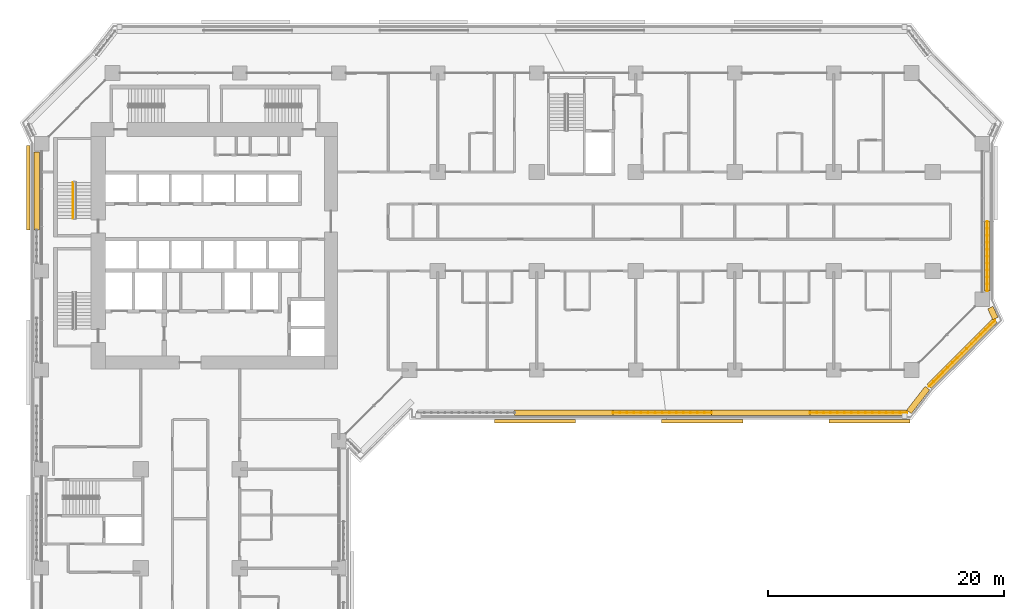
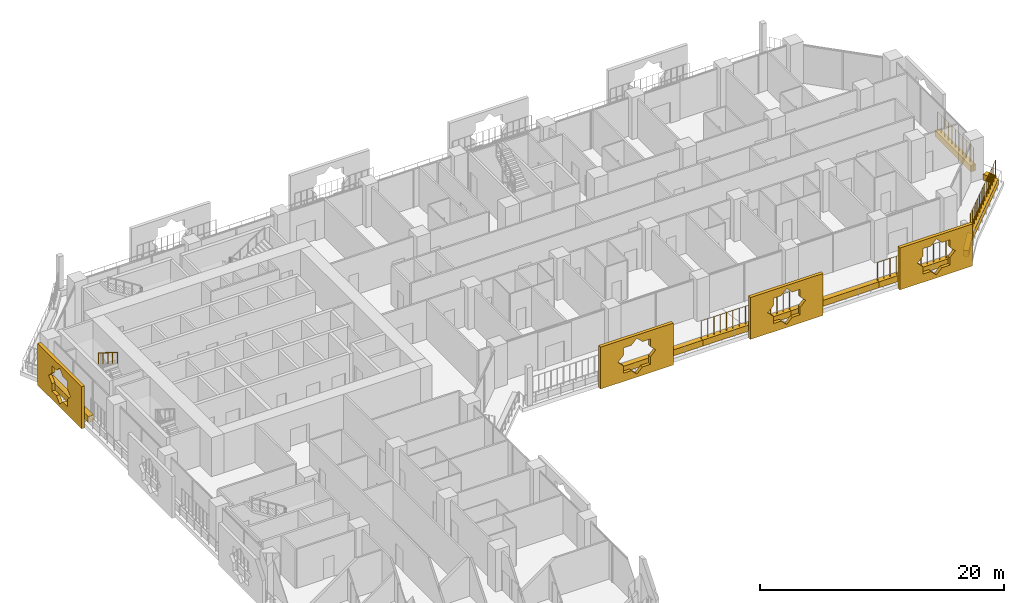
# One storey, part 26 of 29: 13 coverings, 5 railings.
"""IFC4 building model written with IfcOpenShell, lengths in metres."""

import ifcopenshell
import ifcopenshell.guid

model = None  # the IFC model being written
_history = None  # IfcOwnerHistory: only IFC2X3 demands one
_inside = {}  # id of a spatial element -> (the spatial element, [elements in it])
_under = {}  # id of a project, library or spatial element -> (it, [spatial elements below it])
_declared = {}  # id of a project -> (the project, [libraries it declares])
_typed = {}  # id of a type object -> (the type object, [elements of that type])
_made_of = {}  # id of a material, layer set ... -> (it, [elements and type objects made of it])


def new_model(schema):
    """Start an empty IFC model of exactly this schema.

    Asked for "IFC4X3", IfcOpenShell would pick the latest addendum, in which some entities
    have other attributes; the version numbers below select the first issue.
    IFC2X3 requires an IfcOwnerHistory on every rooted entity: one is made here for all.
    """
    global model, _history
    if schema == "IFC4X3":
        model = ifcopenshell.file(schema_version=(4, 3, 0, 0))
    else:
        model = ifcopenshell.file(schema=schema)
    _inside.clear()
    _under.clear()
    _declared.clear()
    _typed.clear()
    _made_of.clear()
    _history = None
    if model.schema == "IFC2X3":
        org = make("IfcOrganization", Name="unknown")
        user = make(
            "IfcPersonAndOrganization",
            ThePerson=make("IfcPerson", FamilyName="unknown"),
            TheOrganization=org,
        )
        app = make(
            "IfcApplication",
            ApplicationDeveloper=org,
            Version="unknown",
            ApplicationFullName="unknown",
            ApplicationIdentifier="unknown",
        )
        _history = make(
            "IfcOwnerHistory",
            OwningUser=user,
            OwningApplication=app,
            ChangeAction="ADDED",
            CreationDate=0,
        )
    return model


def make(cls, **values):
    """One entity of the class cls with the attributes given. An attribute that is None is left unset."""
    return model.create_entity(
        cls, **{name: value for name, value in values.items() if value is not None}
    )


def rooted(cls, **values):
    """An entity with a GlobalId (a new one), such as an element, a storey or a relation."""
    return make(cls, GlobalId=ifcopenshell.guid.new(), OwnerHistory=_history, **values)


def si_unit(unit_type, name, prefix=None):
    """IfcSIUnit, for example si_unit("LENGTHUNIT", "METRE", prefix="MILLI")."""
    return make("IfcSIUnit", UnitType=unit_type, Prefix=prefix, Name=name)


def assignment(units):
    """IfcUnitAssignment: the units of a project."""
    return None if units is None else make("IfcUnitAssignment", Units=units)


def point(xyz):
    """IfcCartesianPoint."""
    return None if xyz is None else make("IfcCartesianPoint", Coordinates=xyz)


def direction(xyz):
    """IfcDirection."""
    return None if xyz is None else make("IfcDirection", DirectionRatios=xyz)


def frame(location, z_axis=None, x_axis=None):
    """IfcAxis2Placement3D, a coordinate frame: its origin and axes. An axis left out is left unset."""
    return make(
        "IfcAxis2Placement3D",
        Location=point(location),
        Axis=direction(z_axis),
        RefDirection=direction(x_axis),
    )


def frame_2d(location, x_axis=None):
    """IfcAxis2Placement2D, a coordinate frame in the plane: its origin and x axis."""
    return make(
        "IfcAxis2Placement2D", Location=point(location), RefDirection=direction(x_axis)
    )


def origin():
    """The frame at (0, 0, 0) with its axes left unset."""
    return frame((0.0, 0.0, 0.0))


def origin_2d():
    """The frame at (0, 0) in the plane with its x axis left unset."""
    return frame_2d((0.0, 0.0))


def place(relative_to, where):
    """IfcLocalPlacement: puts the frame where relative to a parent placement (None: the world)."""
    return make(
        "IfcLocalPlacement", PlacementRelTo=relative_to, RelativePlacement=where
    )


def context(
    kind, dimensions, precision=None, world=None, true_north=None, identifier=None
):
    """IfcGeometricRepresentationContext, for example the 3D "Model" context."""
    return make(
        "IfcGeometricRepresentationContext",
        ContextIdentifier=identifier,
        ContextType=kind,
        CoordinateSpaceDimension=dimensions,
        Precision=precision,
        WorldCoordinateSystem=world,
        TrueNorth=true_north,
    )


def subcontext(parent, identifier, kind, view, scale=None):
    """IfcGeometricRepresentationSubContext, for example "Body" below "Model"."""
    return make(
        "IfcGeometricRepresentationSubContext",
        ContextIdentifier=identifier,
        ContextType=kind,
        ParentContext=parent,
        TargetScale=scale,
        TargetView=view,
    )


def project(units=None, contexts=None):
    """IfcProject with its units and contexts."""
    return rooted(
        "IfcProject",
        Name="project",
        RepresentationContexts=contexts,
        UnitsInContext=assignment(units),
    )


def spatial(cls, under=None, at=None, **own):
    """A site, building, storey or space (cls), placed at a placement, below another one or the project."""
    s = rooted(cls, ObjectPlacement=at, **own)
    if under is not None:
        _under.setdefault(under.id(), (under, []))[1].append(s)
    return s


def polyline(points):
    """IfcPolyline through the points."""
    return make("IfcPolyline", Points=[point(p) for p in points])


def profile(cls, at=None, kind="AREA", **sizes):
    """A parametric profile (cls). Its sizes go by their IFC names, for example OverallWidth=200.0."""
    return make(cls, ProfileType=kind, Position=at, **sizes)


def rectangle(**sizes):
    """IfcRectangleProfileDef."""
    return profile("IfcRectangleProfileDef", **sizes)


def circle(**sizes):
    """IfcCircleProfileDef."""
    return profile("IfcCircleProfileDef", **sizes)


def outline(outer, holes=None, kind="AREA"):
    """IfcArbitraryClosedProfileDef: a profile drawn as a closed curve; with holes, ...WithVoids."""
    if holes is None:
        return make("IfcArbitraryClosedProfileDef", ProfileType=kind, OuterCurve=outer)
    return make(
        "IfcArbitraryProfileDefWithVoids",
        ProfileType=kind,
        OuterCurve=outer,
        InnerCurves=holes,
    )


def extrude(swept, where, along, depth):
    """IfcExtrudedAreaSolid: the profile swept, set in the frame where, extruded along a direction by depth."""
    return make(
        "IfcExtrudedAreaSolid",
        SweptArea=swept,
        Position=where,
        ExtrudedDirection=direction(along),
        Depth=depth,
    )


def shape(context_of_items, identifier, shape_type, items):
    """IfcShapeRepresentation: the items that make up one representation, for example the "Body"."""
    return make(
        "IfcShapeRepresentation",
        ContextOfItems=context_of_items,
        RepresentationIdentifier=identifier,
        RepresentationType=shape_type,
        Items=items,
    )


def material(Name=None, Category=None):
    """IfcMaterial."""
    return make("IfcMaterial", Name=Name, Category=Category)


def material_profile(
    of_material, cross_section, Name=None, Category=None, Priority=None
):
    """IfcMaterialProfile: a cross section and its material."""
    return make(
        "IfcMaterialProfile",
        Name=Name,
        Material=of_material,
        Profile=cross_section,
        Priority=Priority,
        Category=Category,
    )


def profile_set(profiles, Name=None, composite=None):
    """IfcMaterialProfileSet."""
    return make(
        "IfcMaterialProfileSet",
        Name=Name,
        MaterialProfiles=profiles,
        CompositeProfile=composite,
    )


def made_of(thing, what):
    """Note that an element or type object is made of a material, layer set ...; save() writes the relation."""
    if what is not None:
        _made_of.setdefault(what.id(), (what, []))[1].append(thing)
    return thing


def type_object(cls, material=None, **own):
    """A type object (cls), such as IfcWallType, which elements share."""
    return made_of(rooted(cls, **own), material)


def element(
    cls,
    number,
    at=None,
    inside=None,
    cuts=None,
    type_object=None,
    material=None,
    context=None,
    identifier="Body",
    shape_type=None,
    held_by="IfcProductDefinitionShape",
    body=None,
    shapes=None,
    **own,
):
    """One element of the class cls, such as IfcWall. Its Tag is "e" and its number.

    at: its placement. inside: the storey or other place that contains it. cuts: it is an
    opening in that element (IfcRelVoidsElement). A single representation is given by context,
    identifier, shape_type and body (its items); several are given by shapes. held_by: the class
    of the entity that holds the representations. save() writes the other relations.
    """
    e = rooted(cls, Tag="e%d" % number, ObjectPlacement=at, **own)
    if body is not None:
        shapes = [shape(context, identifier, shape_type, body)]
    if shapes is not None:
        e.Representation = make(held_by, Representations=shapes)
    if inside is not None:
        _inside.setdefault(inside.id(), (inside, []))[1].append(e)
    if cuts is not None:
        rooted(
            "IfcRelVoidsElement", RelatingBuildingElement=cuts, RelatedOpeningElement=e
        )
    if type_object is not None:
        _typed.setdefault(type_object.id(), (type_object, []))[1].append(e)
    return made_of(e, material)


def aggregate(whole, parts):
    """IfcRelAggregates: a whole, such as a stair, and the parts it consists of."""
    return rooted("IfcRelAggregates", RelatingObject=whole, RelatedObjects=parts)


def save(model, path):
    """Write the relations noted so far, then the file.

    IfcRelAggregates (storeys below a building ...), IfcRelContainedInSpatialStructure (elements
    in a storey), IfcRelDefinesByType, IfcRelAssociatesMaterial and IfcRelDeclares: one each for
    every whole, place, type object, material and project.
    """
    for whole, parts in _under.values():
        aggregate(whole, parts)
    for where, things in _inside.values():
        rooted(
            "IfcRelContainedInSpatialStructure",
            RelatedElements=things,
            RelatingStructure=where,
        )
    for kind, things in _typed.values():
        rooted("IfcRelDefinesByType", RelatedObjects=things, RelatingType=kind)
    for what, things in _made_of.values():
        rooted("IfcRelAssociatesMaterial", RelatedObjects=things, RelatingMaterial=what)
    for by, libraries in _declared.values():
        rooted("IfcRelDeclares", RelatingContext=by, RelatedDefinitions=libraries)
    model.write(path)


model = new_model("IFC4")

# Units and contexts
model_context = context("Model", 3, precision=1e-05, world=origin(), true_north=direction((0.0, 1.0)))
body_context = subcontext(model_context, "Body", "Model", "MODEL_VIEW")
ifc_project = project(units=[si_unit("LENGTHUNIT", "METRE"), si_unit("AREAUNIT", "SQUARE_METRE"), si_unit("VOLUMEUNIT", "CUBIC_METRE"), si_unit("PLANEANGLEUNIT", "RADIAN"), si_unit("MASSUNIT", "GRAM", prefix="KILO")], contexts=[model_context])

# Site, building, storey
site_placement = place(None, origin())
site = spatial("IfcSite", under=ifc_project, at=site_placement, CompositionType="ELEMENT")
building_placement = place(site_placement, origin())
building = spatial("IfcBuilding", under=site, at=building_placement, Name="Kawkab Arch Medical Tower", CompositionType="ELEMENT")
storey_placement = place(building_placement, frame((0.0, 0.0, 64.39990234375)))
storey = spatial("IfcBuildingStorey", under=building, at=storey_placement, Name="L14", CompositionType="ELEMENT", Elevation=64.39990234375)

# Coverings
ifc_material_1 = material(Name="Bronze anodised aluminium mashrabiya panel, eight-point star pattern", Category="aluminium")
ifc_material_profile_1 = material_profile(ifc_material_1, outline(polyline([(-3.449951171875, -2.10009765625), (3.449951171875, -2.10009765625), (3.449951171875, 2.10009765625), (-3.449951171875, 2.10009765625), (-3.449951171875, -2.10009765625)]), holes=[polyline([(1.800048828125, 0.0), (1.272705078125, 0.527099609375), (1.272705078125, 1.272705078125), (0.527099609375, 1.272705078125), (0.0, 1.800048828125), (-0.527099609375, 1.272705078125), (-1.272705078125, 1.272705078125), (-1.272705078125, 0.527099609375), (-1.800048828125, 0.0), (-1.272705078125, -0.527099609375), (-1.272705078125, -1.272705078125), (-0.527099609375, -1.272705078125), (0.0, -1.800048828125), (0.527099609375, -1.272705078125), (1.272705078125, -1.272705078125), (1.272705078125, -0.527099609375), (1.800048828125, 0.0)])]), Name="Mashrabiya panel 6900x4200")
ifc_profile_set_1 = profile_set([ifc_material_profile_1], Name="Bronze anodised aluminium mashrabiya panel, eight-point star pattern")
covering_type_1 = type_object("IfcCoveringType", Name="Mashrabiya panel 6900 x 4200", PredefinedType="USERDEFINED", material=ifc_profile_set_1)
for number, where, z_axis, x_axis, name in (
    (1, (70.226318359375, -29.39990234375, 1.7001953125), (0.0, -1.0, 0.0), (1.0, 0.0, 0.0), "Mashrabiya panel L14.LOG-01-01.11"),
    (2, (56.05126953125, -29.39990234375, 1.7001953125), (0.0, -1.0, 0.0), (1.0, 0.0, 0.0), "Mashrabiya panel L14.LOG-01-01.12"),
    (3, (41.856201171875, -29.39990234375, 1.7001953125), (0.0, -1.0, 0.0), (1.0, 0.0, 0.0), "Mashrabiya panel L14.LOG-01-01.13"),
):
    element("IfcCovering", number, at=place(storey_placement, frame(where, z_axis=z_axis, x_axis=x_axis)), inside=storey, type_object=covering_type_1, Name=name, ObjectType="SCREEN", PredefinedType="USERDEFINED", context=body_context, shape_type="SweptSolid", body=[
        extrude(outline(polyline([(-3.449951171875, -2.10009765625), (3.449951171875, -2.10009765625), (3.449951171875, 2.10009765625), (-3.449951171875, 2.10009765625), (-3.449951171875, -2.10009765625)]), holes=[polyline([(1.800048828125, 0.0), (1.272705078125, 0.527099609375), (1.272705078125, 1.272705078125), (0.527099609375, 1.272705078125), (0.0, 1.800048828125), (-0.527099609375, 1.272705078125), (-1.272705078125, 1.272705078125), (-1.272705078125, 0.527099609375), (-1.800048828125, 0.0), (-1.272705078125, -0.527099609375), (-1.272705078125, -1.272705078125), (-0.527099609375, -1.272705078125), (0.0, -1.800048828125), (0.527099609375, -1.272705078125), (1.272705078125, -1.272705078125), (1.272705078125, -0.527099609375), (1.800048828125, 0.0)])]), origin(), (0.0, 0.0, 1.0), 0.300048828125),
    ])
ifc_material_2 = material(Name="Bronze anodised aluminium mashrabiya panel, eight-point star pattern", Category="aluminium")
ifc_material_profile_2 = material_profile(ifc_material_2, outline(polyline([(-3.60009765625, -2.10009765625), (3.60009765625, -2.10009765625), (3.60009765625, 2.10009765625), (-3.60009765625, 2.10009765625), (-3.60009765625, -2.10009765625)]), holes=[polyline([(1.800048828125, 0.0), (1.272705078125, 0.527099609375), (1.272705078125, 1.272705078125), (0.527099609375, 1.272705078125), (0.0, 1.800048828125), (-0.527099609375, 1.272705078125), (-1.272705078125, 1.272705078125), (-1.272705078125, 0.527099609375), (-1.800048828125, 0.0), (-1.272705078125, -0.527099609375), (-1.272705078125, -1.272705078125), (-0.527099609375, -1.272705078125), (0.0, -1.800048828125), (0.527099609375, -1.272705078125), (1.272705078125, -1.272705078125), (1.272705078125, -0.527099609375), (1.800048828125, 0.0)])]), Name="Mashrabiya panel 7200x4200")
ifc_profile_set_2 = profile_set([ifc_material_profile_2], Name="Bronze anodised aluminium mashrabiya panel, eight-point star pattern")
covering_type_2 = type_object("IfcCoveringType", Name="Mashrabiya panel 7200 x 4200", PredefinedType="USERDEFINED", material=ifc_profile_set_2)
covering_1_placement = place(storey_placement, frame((-1.0, -9.730712890625, 1.7001953125), z_axis=(-1.0, 0.0, 0.0), x_axis=(0.0, -1.0, 0.0)))
element("IfcCovering", 4, at=covering_1_placement, inside=storey, type_object=covering_type_2, Name="Mashrabiya panel L14.LOG-01-01.5", ObjectType="SCREEN", PredefinedType="USERDEFINED", context=body_context, shape_type="SweptSolid", body=[
    extrude(outline(polyline([(-3.60009765625, -2.10009765625), (3.60009765625, -2.10009765625), (3.60009765625, 2.10009765625), (-3.60009765625, 2.10009765625), (-3.60009765625, -2.10009765625)]), holes=[polyline([(1.800048828125, 0.0), (1.272705078125, 0.527099609375), (1.272705078125, 1.272705078125), (0.527099609375, 1.272705078125), (0.0, 1.800048828125), (-0.527099609375, 1.272705078125), (-1.272705078125, 1.272705078125), (-1.272705078125, 0.527099609375), (-1.800048828125, 0.0), (-1.272705078125, -0.527099609375), (-1.272705078125, -1.272705078125), (-0.527099609375, -1.272705078125), (0.0, -1.800048828125), (0.527099609375, -1.272705078125), (1.272705078125, -1.272705078125), (1.272705078125, -0.527099609375), (1.800048828125, 0.0)])]), origin(), (0.0, 0.0, 1.0), 0.300048828125),
])
ifc_material_3 = material(Name="Planting soil in a precast trough", Category="concrete")
ifc_material_profile_3 = material_profile(ifc_material_3, rectangle(XDim=0.5, YDim=0.60009765625, at=origin_2d()), Name="Trough 500x600")
ifc_profile_set_3 = profile_set([ifc_material_profile_3], Name="Planting soil in a precast trough")
covering_type_3 = type_object("IfcCoveringType", Name="Planter trough 500 x 600", PredefinedType="USERDEFINED", material=ifc_profile_set_3)
covering_2_placement = place(storey_placement, frame((-0.419921875, -13.3310546875, 0.300048828125), z_axis=(0.0, 1.0, 0.0), x_axis=(-1.0, 0.0, 0.0)))
element("IfcCovering", 5, at=covering_2_placement, inside=storey, type_object=covering_type_3, Name="Planter L14.LOG-01-01.16", ObjectType="PLANTER", PredefinedType="USERDEFINED", context=body_context, shape_type="SweptSolid", body=[
    extrude(rectangle(XDim=0.5, YDim=0.60009765625, at=origin_2d()), origin(), (0.0, 0.0, 1.0), 6.6259765625),
])
covering_3_placement = place(storey_placement, frame((80.219970703125, -12.60009765625, 0.300048828125), z_axis=(0.0, -1.0, 0.0), x_axis=(1.0, 0.0, 0.0)))
element("IfcCovering", 6, at=covering_3_placement, inside=storey, type_object=covering_type_3, Name="Planter L14.LOG-01-01.33", ObjectType="PLANTER", PredefinedType="USERDEFINED", context=body_context, shape_type="SweptSolid", body=[
    extrude(rectangle(XDim=0.5, YDim=0.60009765625, at=origin_2d()), origin(), (0.0, 0.0, 1.0), 5.89501953125),
])
covering_4_placement = place(storey_placement, frame((80.48095703125, -19.89794921875, 0.300048828125), z_axis=(0.415071571878, -0.909788761317, 0.0), x_axis=(0.909788761317, 0.415071571878, 0.0)))
element("IfcCovering", 7, at=covering_4_placement, inside=storey, type_object=covering_type_3, Name="Planter L14.LOG-01-01.34", ObjectType="PLANTER", PredefinedType="USERDEFINED", context=body_context, shape_type="SweptSolid", body=[
    extrude(rectangle(XDim=0.5, YDim=0.60009765625, at=origin_2d()), origin(), (0.0, 0.0, 1.0), 1.0146484375),
])
covering_5_placement = place(storey_placement, frame((80.873046875, -20.98291015625, 0.300048828125), z_axis=(-0.707106781187, -0.707106781187, 0.0), x_axis=(0.707106781187, -0.707106781187, 0.0)))
element("IfcCovering", 8, at=covering_5_placement, inside=storey, type_object=covering_type_3, Name="Planter L14.LOG-01-01.35", ObjectType="PLANTER", PredefinedType="USERDEFINED", context=body_context, shape_type="SweptSolid", body=[
    extrude(rectangle(XDim=0.5, YDim=0.60009765625, at=origin_2d()), origin(), (0.0, 0.0, 1.0), 7.919677734375),
])
covering_6_placement = place(storey_placement, frame((75.14111328125, -26.73193359375, 0.300048828125), z_axis=(-0.614099956103, -0.789228258436, 0.0), x_axis=(0.789228258436, -0.614099956103, 0.0)))
element("IfcCovering", 9, at=covering_6_placement, inside=storey, type_object=covering_type_3, Name="Planter L14.LOG-01-01.36", ObjectType="PLANTER", PredefinedType="USERDEFINED", context=body_context, shape_type="SweptSolid", body=[
    extrude(rectangle(XDim=0.5, YDim=0.60009765625, at=origin_2d()), origin(), (0.0, 0.0, 1.0), 2.545654296875),
])
covering_7_placement = place(storey_placement, frame((73.416015625, -28.820068359375, 0.300048828125), z_axis=(-1.0, 0.0, 0.0), x_axis=(0.0, -1.0, 0.0)))
element("IfcCovering", 10, at=covering_7_placement, inside=storey, type_object=covering_type_3, Name="Planter L14.LOG-01-01.37", ObjectType="PLANTER", PredefinedType="USERDEFINED", context=body_context, shape_type="SweptSolid", body=[
    extrude(rectangle(XDim=0.5, YDim=0.60009765625, at=origin_2d()), origin(), (0.0, 0.0, 1.0), 8.2470703125),
])
for number, where, z_axis, x_axis, name in (
    (11, (65.1689453125, -28.820068359375, 0.300048828125), (-1.0, 0.0, 0.0), (0.0, -1.0, 0.0), "Planter L14.LOG-01-01.38"),
    (12, (56.822021484375, -28.820068359375, 0.300048828125), (-1.0, 0.0, 0.0), (0.0, -1.0, 0.0), "Planter L14.LOG-01-01.39"),
):
    element("IfcCovering", number, at=place(storey_placement, frame(where, z_axis=z_axis, x_axis=x_axis)), inside=storey, type_object=covering_type_3, Name=name, ObjectType="PLANTER", PredefinedType="USERDEFINED", context=body_context, shape_type="SweptSolid", body=[
        extrude(rectangle(XDim=0.5, YDim=0.60009765625, at=origin_2d()), origin(), (0.0, 0.0, 1.0), 8.346923828125),
    ])
covering_8_placement = place(storey_placement, frame((48.47509765625, -28.820068359375, 0.300048828125), z_axis=(-1.0, 0.0, 0.0), x_axis=(0.0, -1.0, 0.0)))
element("IfcCovering", 13, at=covering_8_placement, inside=storey, type_object=covering_type_3, Name="Planter L14.LOG-01-01.40", ObjectType="PLANTER", PredefinedType="USERDEFINED", context=body_context, shape_type="SweptSolid", body=[
    extrude(rectangle(XDim=0.5, YDim=0.60009765625, at=origin_2d()), origin(), (0.0, 0.0, 1.0), 8.34814453125),
])

# Railings
ifc_material_4 = material(Name="Bronze anodised aluminium trellis for climbing plants", Category="aluminium")
railing_type_1 = type_object("IfcRailingType", Name="Planting trellis 2400", PredefinedType="USERDEFINED", material=ifc_material_4)
railing_1_placement = place(storey_placement, frame((80.219970703125, -12.60009765625, 0.0)))
element("IfcRailing", 14, at=railing_1_placement, inside=storey, type_object=railing_type_1, Name="Planting trellis L14.LOG-01-01.33", ObjectType="TRELLIS", PredefinedType="USERDEFINED", context=body_context, shape_type="SweptSolid", body=[
    extrude(circle(Radius=0.01513671875, at=origin_2d()), frame((0.0, 0.0, 2.384765625), z_axis=(0.0, -1.0, 0.0), x_axis=(1.0, 0.0, 0.0)), (0.0, 0.0, 1.0), 5.89501953125),
    extrude(circle(Radius=0.030029296875, at=origin_2d()), origin(), (0.0, 0.0, 1.0), 2.369873046875),
    extrude(circle(Radius=0.030029296875, at=origin_2d()), frame((0.0, -0.589599609375, 0.0)), (0.0, 0.0, 1.0), 2.369873046875),
    extrude(circle(Radius=0.030029296875, at=origin_2d()), frame((0.0, -1.178955078125, 0.0)), (0.0, 0.0, 1.0), 2.369873046875),
    extrude(circle(Radius=0.030029296875, at=origin_2d()), frame((0.0, -1.7685546875, 0.0)), (0.0, 0.0, 1.0), 2.369873046875),
    extrude(circle(Radius=0.030029296875, at=origin_2d()), frame((0.0, -2.35791015625, 0.0)), (0.0, 0.0, 1.0), 2.369873046875),
    extrude(circle(Radius=0.030029296875, at=origin_2d()), frame((0.0, -2.947509765625, 0.0)), (0.0, 0.0, 1.0), 2.369873046875),
    extrude(circle(Radius=0.030029296875, at=origin_2d()), frame((0.0, -3.537109375, 0.0)), (0.0, 0.0, 1.0), 2.369873046875),
    extrude(circle(Radius=0.030029296875, at=origin_2d()), frame((0.0, -4.12646484375, 0.0)), (0.0, 0.0, 1.0), 2.369873046875),
    extrude(circle(Radius=0.030029296875, at=origin_2d()), frame((0.0, -4.716064453125, 0.0)), (0.0, 0.0, 1.0), 2.369873046875),
    extrude(circle(Radius=0.030029296875, at=origin_2d()), frame((0.0, -5.305419921875, 0.0)), (0.0, 0.0, 1.0), 2.369873046875),
    extrude(circle(Radius=0.030029296875, at=origin_2d()), frame((0.0, -5.89501953125, 0.0)), (0.0, 0.0, 1.0), 2.369873046875),
])
railing_2_placement = place(storey_placement, frame((80.873046875, -20.98291015625, 0.0)))
element("IfcRailing", 15, at=railing_2_placement, inside=storey, type_object=railing_type_1, Name="Planting trellis L14.LOG-01-01.35", ObjectType="TRELLIS", PredefinedType="USERDEFINED", context=body_context, shape_type="SweptSolid", body=[
    extrude(circle(Radius=0.01513671875, at=origin_2d()), frame((0.0, 0.0, 2.384765625), z_axis=(-0.707106781187, -0.707106781187, 0.0), x_axis=(0.707106781187, -0.707106781187, 0.0)), (0.0, 0.0, 1.0), 7.919677734375),
    extrude(circle(Radius=0.030029296875, at=origin_2d()), origin(), (0.0, 0.0, 1.0), 2.369873046875),
    extrude(circle(Radius=0.030029296875, at=origin_2d()), frame((-0.39990234375, -0.39990234375, 0.0)), (0.0, 0.0, 1.0), 2.369873046875),
    extrude(circle(Radius=0.030029296875, at=origin_2d()), frame((-0.800048828125, -0.800048828125, 0.0)), (0.0, 0.0, 1.0), 2.369873046875),
    extrude(circle(Radius=0.030029296875, at=origin_2d()), frame((-1.199951171875, -1.199951171875, 0.0)), (0.0, 0.0, 1.0), 2.369873046875),
    extrude(circle(Radius=0.030029296875, at=origin_2d()), frame((-1.60009765625, -1.60009765625, 0.0)), (0.0, 0.0, 1.0), 2.369873046875),
    extrude(circle(Radius=0.030029296875, at=origin_2d()), frame((-2.0, -2.0, 0.0)), (0.0, 0.0, 1.0), 2.369873046875),
    extrude(circle(Radius=0.030029296875, at=origin_2d()), frame((-2.400146484375, -2.400146484375, 0.0)), (0.0, 0.0, 1.0), 2.369873046875),
    extrude(circle(Radius=0.030029296875, at=origin_2d()), frame((-2.800048828125, -2.800048828125, 0.0)), (0.0, 0.0, 1.0), 2.369873046875),
    extrude(circle(Radius=0.030029296875, at=origin_2d()), frame((-3.199951171875, -3.199951171875, 0.0)), (0.0, 0.0, 1.0), 2.369873046875),
    extrude(circle(Radius=0.030029296875, at=origin_2d()), frame((-3.60009765625, -3.60009765625, 0.0)), (0.0, 0.0, 1.0), 2.369873046875),
    extrude(circle(Radius=0.030029296875, at=origin_2d()), frame((-4.0, -4.0, 0.0)), (0.0, 0.0, 1.0), 2.369873046875),
    extrude(circle(Radius=0.030029296875, at=origin_2d()), frame((-4.400146484375, -4.400146484375, 0.0)), (0.0, 0.0, 1.0), 2.369873046875),
    extrude(circle(Radius=0.030029296875, at=origin_2d()), frame((-4.800048828125, -4.800048828125, 0.0)), (0.0, 0.0, 1.0), 2.369873046875),
    extrude(circle(Radius=0.030029296875, at=origin_2d()), frame((-5.2001953125, -5.2001953125, 0.0)), (0.0, 0.0, 1.0), 2.369873046875),
    extrude(circle(Radius=0.030029296875, at=origin_2d()), frame((-5.60009765625, -5.60009765625, 0.0)), (0.0, 0.0, 1.0), 2.369873046875),
])
railing_3_placement = place(storey_placement, frame((73.416015625, -28.820068359375, 0.0)))
element("IfcRailing", 16, at=railing_3_placement, inside=storey, type_object=railing_type_1, Name="Planting trellis L14.LOG-01-01.37", ObjectType="TRELLIS", PredefinedType="USERDEFINED", context=body_context, shape_type="SweptSolid", body=[
    extrude(circle(Radius=0.01513671875, at=origin_2d()), frame((0.0, 0.0, 2.384765625), z_axis=(-1.0, 0.0, 0.0), x_axis=(0.0, -1.0, 0.0)), (0.0, 0.0, 1.0), 8.2470703125),
    extrude(circle(Radius=0.030029296875, at=origin_2d()), origin(), (0.0, 0.0, 1.0), 2.369873046875),
    extrude(circle(Radius=0.030029296875, at=origin_2d()), frame((-0.589111328125, 0.0, 0.0)), (0.0, 0.0, 1.0), 2.369873046875),
    extrude(circle(Radius=0.030029296875, at=origin_2d()), frame((-1.17822265625, 0.0, 0.0)), (0.0, 0.0, 1.0), 2.369873046875),
    extrude(circle(Radius=0.030029296875, at=origin_2d()), frame((-1.767333984375, 0.0, 0.0)), (0.0, 0.0, 1.0), 2.369873046875),
    extrude(circle(Radius=0.030029296875, at=origin_2d()), frame((-2.356201171875, 0.0, 0.0)), (0.0, 0.0, 1.0), 2.369873046875),
    extrude(circle(Radius=0.030029296875, at=origin_2d()), frame((-2.9453125, 0.0, 0.0)), (0.0, 0.0, 1.0), 2.369873046875),
    extrude(circle(Radius=0.030029296875, at=origin_2d()), frame((-3.534423828125, 0.0, 0.0)), (0.0, 0.0, 1.0), 2.369873046875),
    extrude(circle(Radius=0.030029296875, at=origin_2d()), frame((-4.12353515625, 0.0, 0.0)), (0.0, 0.0, 1.0), 2.369873046875),
    extrude(circle(Radius=0.030029296875, at=origin_2d()), frame((-4.712646484375, 0.0, 0.0)), (0.0, 0.0, 1.0), 2.369873046875),
    extrude(circle(Radius=0.030029296875, at=origin_2d()), frame((-5.3017578125, 0.0, 0.0)), (0.0, 0.0, 1.0), 2.369873046875),
    extrude(circle(Radius=0.030029296875, at=origin_2d()), frame((-5.890869140625, 0.0, 0.0)), (0.0, 0.0, 1.0), 2.369873046875),
    extrude(circle(Radius=0.030029296875, at=origin_2d()), frame((-6.479736328125, 0.0, 0.0)), (0.0, 0.0, 1.0), 2.369873046875),
    extrude(circle(Radius=0.030029296875, at=origin_2d()), frame((-7.06884765625, 0.0, 0.0)), (0.0, 0.0, 1.0), 2.369873046875),
    extrude(circle(Radius=0.030029296875, at=origin_2d()), frame((-7.657958984375, 0.0, 0.0)), (0.0, 0.0, 1.0), 2.369873046875),
    extrude(circle(Radius=0.030029296875, at=origin_2d()), frame((-8.2470703125, 0.0, 0.0)), (0.0, 0.0, 1.0), 2.369873046875),
])
railing_4_placement = place(storey_placement, frame((56.822021484375, -28.820068359375, 0.0)))
element("IfcRailing", 17, at=railing_4_placement, inside=storey, type_object=railing_type_1, Name="Planting trellis L14.LOG-01-01.39", ObjectType="TRELLIS", PredefinedType="USERDEFINED", context=body_context, shape_type="SweptSolid", body=[
    extrude(circle(Radius=0.01513671875, at=origin_2d()), frame((0.0, 0.0, 2.384765625), z_axis=(-1.0, 0.0, 0.0), x_axis=(0.0, -1.0, 0.0)), (0.0, 0.0, 1.0), 8.346923828125),
    extrude(circle(Radius=0.030029296875, at=origin_2d()), origin(), (0.0, 0.0, 1.0), 2.369873046875),
    extrude(circle(Radius=0.030029296875, at=origin_2d()), frame((-0.59619140625, 0.0, 0.0)), (0.0, 0.0, 1.0), 2.369873046875),
    extrude(circle(Radius=0.030029296875, at=origin_2d()), frame((-1.1923828125, 0.0, 0.0)), (0.0, 0.0, 1.0), 2.369873046875),
    extrude(circle(Radius=0.030029296875, at=origin_2d()), frame((-1.78857421875, 0.0, 0.0)), (0.0, 0.0, 1.0), 2.369873046875),
    extrude(circle(Radius=0.030029296875, at=origin_2d()), frame((-2.384765625, 0.0, 0.0)), (0.0, 0.0, 1.0), 2.369873046875),
    extrude(circle(Radius=0.030029296875, at=origin_2d()), frame((-2.98095703125, 0.0, 0.0)), (0.0, 0.0, 1.0), 2.369873046875),
    extrude(circle(Radius=0.030029296875, at=origin_2d()), frame((-3.5771484375, 0.0, 0.0)), (0.0, 0.0, 1.0), 2.369873046875),
    extrude(circle(Radius=0.030029296875, at=origin_2d()), frame((-4.17333984375, 0.0, 0.0)), (0.0, 0.0, 1.0), 2.369873046875),
    extrude(circle(Radius=0.030029296875, at=origin_2d()), frame((-4.769775390625, 0.0, 0.0)), (0.0, 0.0, 1.0), 2.369873046875),
    extrude(circle(Radius=0.030029296875, at=origin_2d()), frame((-5.365966796875, 0.0, 0.0)), (0.0, 0.0, 1.0), 2.369873046875),
    extrude(circle(Radius=0.030029296875, at=origin_2d()), frame((-5.962158203125, 0.0, 0.0)), (0.0, 0.0, 1.0), 2.369873046875),
    extrude(circle(Radius=0.030029296875, at=origin_2d()), frame((-6.558349609375, 0.0, 0.0)), (0.0, 0.0, 1.0), 2.369873046875),
    extrude(circle(Radius=0.030029296875, at=origin_2d()), frame((-7.154541015625, 0.0, 0.0)), (0.0, 0.0, 1.0), 2.369873046875),
    extrude(circle(Radius=0.030029296875, at=origin_2d()), frame((-7.750732421875, 0.0, 0.0)), (0.0, 0.0, 1.0), 2.369873046875),
    extrude(circle(Radius=0.030029296875, at=origin_2d()), frame((-8.346923828125, 0.0, 0.0)), (0.0, 0.0, 1.0), 2.369873046875),
])
ifc_material_5 = material(Name="Stainless steel", Category="steel")
railing_type_2 = type_object("IfcRailingType", Name="Stair guard 1100", PredefinedType="GUARDRAIL", material=ifc_material_5)
railing_5_placement = place(storey_placement, frame((2.64990234375, -9.27001953125, 2.275146484375)))
element("IfcRailing", 18, at=railing_5_placement, inside=storey, type_object=railing_type_2, Name="L14 ST1 stair guard 3", PredefinedType="GUARDRAIL", context=body_context, shape_type="SweptSolid", body=[
    extrude(circle(Radius=0.02392578125, at=origin_2d()), frame((0.0, 0.0, 1.076171875), z_axis=(0.0, -0.847998304005, 0.529998940003), x_axis=(1.0, 0.0, 0.0)), (0.0, 0.0, 1.0), 3.632080078125),
    extrude(circle(Radius=0.02099609375, at=origin_2d()), origin(), (0.0, 0.0, 1.0), 1.052001953125),
    extrude(circle(Radius=0.02099609375, at=origin_2d()), frame((0.0, -0.77001953125, 0.481201171875)), (0.0, 0.0, 1.0), 1.052001953125),
    extrude(circle(Radius=0.02099609375, at=origin_2d()), frame((0.0, -1.5400390625, 0.96240234375)), (0.0, 0.0, 1.0), 1.052001953125),
    extrude(circle(Radius=0.02099609375, at=origin_2d()), frame((0.0, -2.31005859375, 1.44384765625)), (0.0, 0.0, 1.0), 1.052001953125),
    extrude(circle(Radius=0.02099609375, at=origin_2d()), frame((0.0, -3.080078125, 1.925048828125)), (0.0, 0.0, 1.0), 1.052001953125),
])

save(model, "model.ifc")
